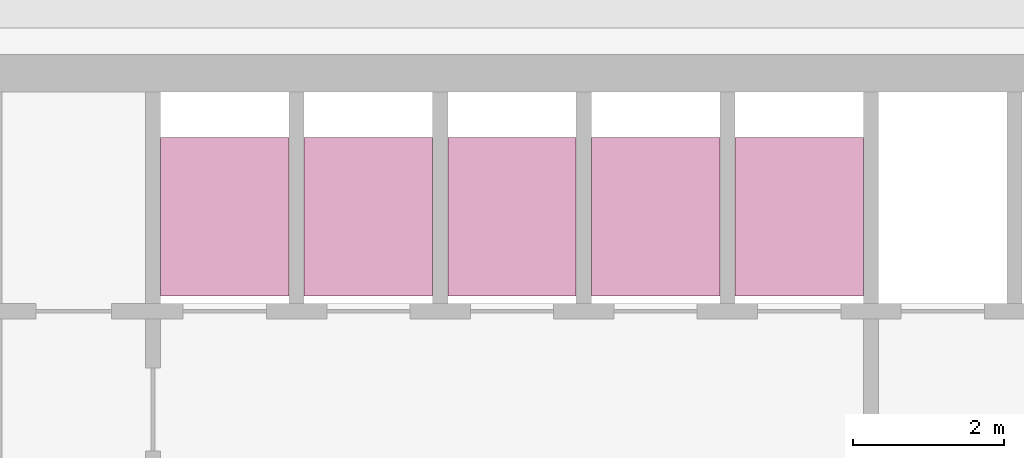
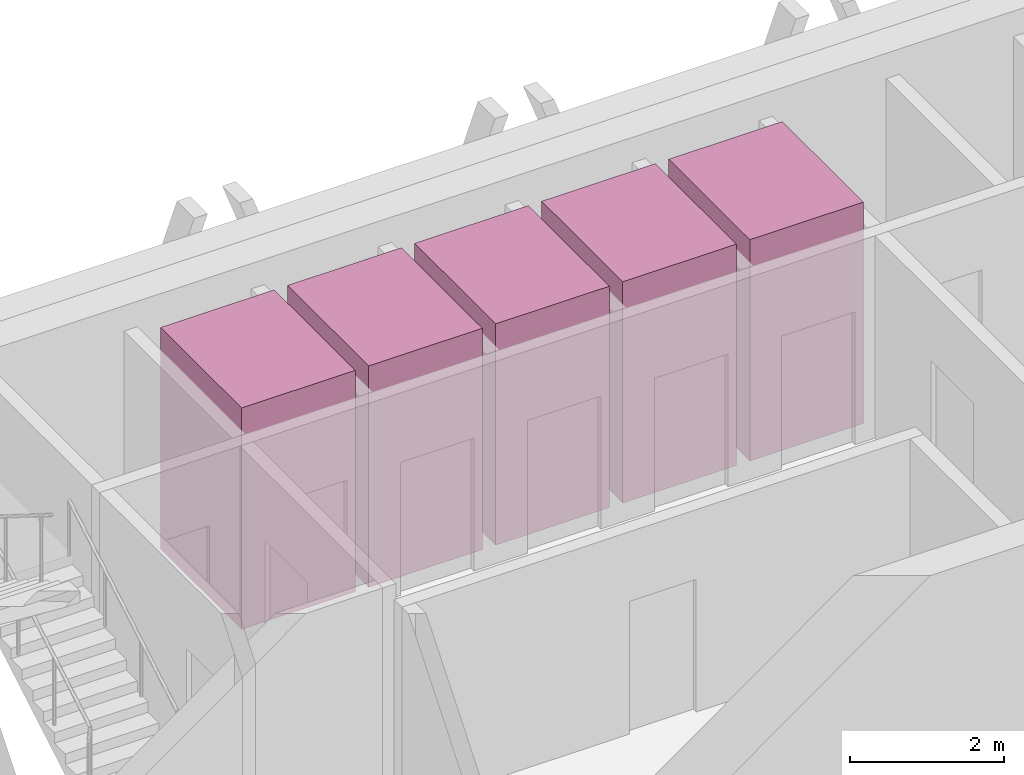
# One storey, part 14 of 14: 5 transport elements.
"""IFC4 building model written with IfcOpenShell, lengths in metres."""

from ifc_helpers import new_model, si_unit, direction, frame, origin, origin_2d, place, context, subcontext, project, spatial, rectangle, extrude, material, type_object, element, save


model = new_model("IFC4")

# Units and contexts
model_context = context("Model", 3, precision=1e-05, world=origin(), true_north=direction((0.0, 1.0)))
body_context = subcontext(model_context, "Body", "Model", "MODEL_VIEW")
ifc_project = project(units=[si_unit("LENGTHUNIT", "METRE"), si_unit("AREAUNIT", "SQUARE_METRE"), si_unit("VOLUMEUNIT", "CUBIC_METRE"), si_unit("PLANEANGLEUNIT", "RADIAN"), si_unit("MASSUNIT", "GRAM", prefix="KILO")], contexts=[model_context])

# Site, building, storey
site_placement = place(None, origin())
site = spatial("IfcSite", under=ifc_project, at=site_placement, CompositionType="ELEMENT")
building_placement = place(site_placement, origin())
building = spatial("IfcBuilding", under=site, at=building_placement, Name="Altiplano Prism Tower", CompositionType="ELEMENT")
storey_placement = place(building_placement, frame((0.0, 0.0, 268.0)))
storey = spatial("IfcBuildingStorey", under=building, at=storey_placement, Name="L69", CompositionType="ELEMENT", Elevation=268.0)

# Transport elements
ifc_material = material(Name="Stainless steel lift car", Category="steel")
transport_element_type = type_object("IfcTransportElementType", Name="Passenger lift car 1600 x 2100", PredefinedType="ELEVATOR", material=ifc_material)
for number, where, z_axis, x_axis, name in (
    (1, (79.050048828125, 101.75, 0.050048828125), (0.0, 0.0, 1.0), (1.0, 0.0, 0.0), "High Zone Passenger Lift 1"),
    (2, (80.949951171875, 101.75, 0.050048828125), (0.0, 0.0, 1.0), (1.0, 0.0, 0.0), "High Zone Passenger Lift 2"),
    (3, (82.85009765625, 101.75, 0.050048828125), (0.0, 0.0, 1.0), (1.0, 0.0, 0.0), "High Zone Passenger Lift 3"),
    (4, (84.75, 101.75, 0.050048828125), (0.0, 0.0, 1.0), (1.0, 0.0, 0.0), "High Zone Passenger Lift 4"),
    (5, (86.64990234375, 101.75, 0.050048828125), (0.0, 0.0, 1.0), (1.0, 0.0, 0.0), "High Zone Passenger Lift 5"),
):
    element("IfcTransportElement", number, at=place(storey_placement, frame(where, z_axis=z_axis, x_axis=x_axis)), inside=storey, type_object=transport_element_type, Name=name, PredefinedType="ELEVATOR", context=body_context, shape_type="SweptSolid", body=[
        extrude(rectangle(XDim=1.699951171875, YDim=2.10009765625, at=origin_2d()), origin(), (0.0, 0.0, 1.0), 3.5),
    ])

save(model, "model.ifc")
